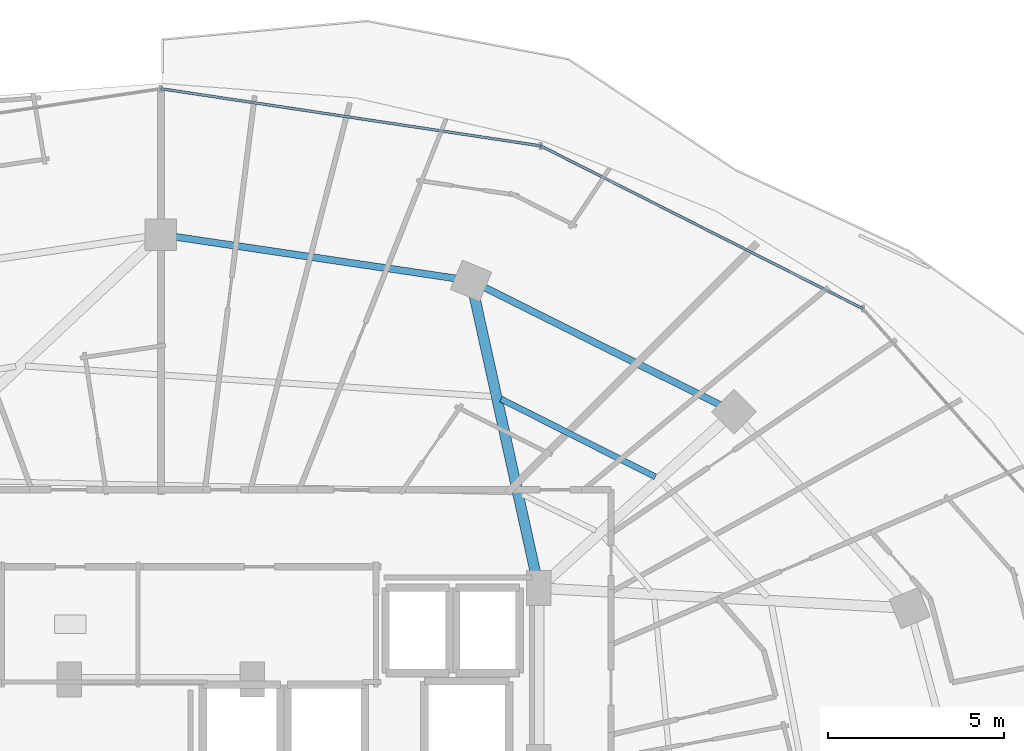
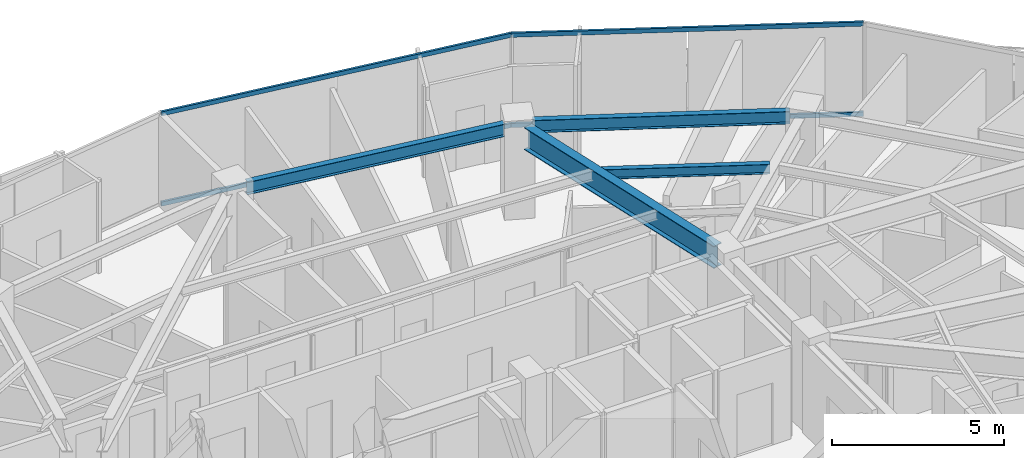
# One storey, part 19 of 33: 4 beams, 4 members, 1 element without a shape of its own.
"""IFC4 building model written with IfcOpenShell, lengths in metres."""

from ifc_helpers import new_model, si_unit, direction, frame, origin, origin_2d, place, context, subcontext, project, spatial, hollow_rectangle, i_section, extrude, material, material_profile, profile_set, type_object, element, aggregate, save


model = new_model("IFC4")

# Units and contexts
model_context = context("Model", 3, precision=1e-05, world=origin(), true_north=direction((0.0, 1.0)))
body_context = subcontext(model_context, "Body", "Model", "MODEL_VIEW")
ifc_project = project(units=[si_unit("LENGTHUNIT", "METRE"), si_unit("AREAUNIT", "SQUARE_METRE"), si_unit("VOLUMEUNIT", "CUBIC_METRE"), si_unit("PLANEANGLEUNIT", "RADIAN"), si_unit("MASSUNIT", "GRAM", prefix="KILO")], contexts=[model_context])

# Site, building, storey
site_placement = place(None, origin())
site = spatial("IfcSite", under=ifc_project, at=site_placement, CompositionType="ELEMENT")
building_placement = place(site_placement, origin())
building = spatial("IfcBuilding", under=site, at=building_placement, Name="Vorneva Point Tower", CompositionType="ELEMENT")
storey_placement = place(building_placement, frame((0.0, 0.0, 179.10009765625)))
storey = spatial("IfcBuildingStorey", under=building, at=storey_placement, Name="L48", CompositionType="ELEMENT", Elevation=179.10009765625)

# Beams
ifc_material_1 = material(Name="Steel S355", Category="steel")
ifc_material_profile_1 = material_profile(ifc_material_1, i_section(OverallWidth=0.300048828125, OverallDepth=0.7880859375, WebThickness=0.014404296875, FlangeThickness=0.02197265625, at=origin_2d()), Name="80Sh1")
ifc_profile_set_1 = profile_set([ifc_material_profile_1], Name="Steel S355")
beam_type_1 = type_object("IfcBeamType", Name="BM-GRD-80Sh1", PredefinedType="USERDEFINED", material=ifc_profile_set_1)
beam_1_placement = place(storey_placement, frame((46.915283203125, 41.462890625, 2.845947265625), z_axis=(0.215522758292, -0.976498817541, 0.0), x_axis=(0.976498817541, 0.215522758292, 0.0)))
element("IfcBeam", 1, at=beam_1_placement, inside=storey, type_object=beam_type_1, Name="L48 Radial Primary Girder 04", ObjectType="GIRDER", PredefinedType="USERDEFINED", context=body_context, shape_type="SweptSolid", body=[
    extrude(i_section(OverallWidth=0.300048828125, OverallDepth=0.7880859375, WebThickness=0.014404296875, FlangeThickness=0.02197265625, at=origin_2d()), origin(), (0.0, 0.0, 1.0), 8.173095703125),
])
ifc_material_profile_2 = material_profile(ifc_material_1, i_section(OverallWidth=0.174072265625, OverallDepth=0.345947265625, WebThickness=0.006103515625, FlangeThickness=0.009033203125, at=origin_2d()), Name="35B1")
ifc_profile_set_2 = profile_set([ifc_material_profile_2], Name="Steel S355")
beam_type_2 = type_object("IfcBeamType", Name="BM-SEC-35B1", PredefinedType="BEAM", material=ifc_profile_set_2)
beam_2_placement = place(storey_placement, frame((52.060791015625, 36.314208984375, 3.06689453125), z_axis=(-0.89285196268, 0.450350277827, 0.0), x_axis=(-0.450350277827, -0.89285196268, 0.0)))
element("IfcBeam", 2, at=beam_2_placement, inside=storey, type_object=beam_type_2, Name="L48 Secondary Floor Beam 1.03", PredefinedType="BEAM", context=body_context, shape_type="SweptSolid", body=[
    extrude(i_section(OverallWidth=0.174072265625, OverallDepth=0.345947265625, WebThickness=0.006103515625, FlangeThickness=0.009033203125, at=origin_2d()), origin(), (0.0, 0.0, 1.0), 4.914794921875),
])
ifc_material_profile_3 = material_profile(ifc_material_1, i_section(OverallWidth=0.198974609375, OverallDepth=0.446044921875, WebThickness=0.008056640625, FlangeThickness=0.011962890625, at=origin_2d()), Name="45B1")
ifc_profile_set_3 = profile_set([ifc_material_profile_3], Name="Steel S355")
beam_type_3 = type_object("IfcBeamType", Name="BM-SPN-45B1", PredefinedType="SPANDREL", material=ifc_profile_set_3)
beam_3_placement = place(storey_placement, frame((53.909423828125, 38.356201171875, 3.016845703125), z_axis=(-0.894922371084, 0.446221861559, 0.0), x_axis=(-0.446221861559, -0.894922371084, 0.0)))
element("IfcBeam", 3, at=beam_3_placement, inside=storey, type_object=beam_type_3, Name="L48 Perimeter Spandrel Ring Beam 03", PredefinedType="SPANDREL", context=body_context, shape_type="SweptSolid", body=[
    extrude(i_section(OverallWidth=0.198974609375, OverallDepth=0.446044921875, WebThickness=0.008056640625, FlangeThickness=0.011962890625, at=origin_2d()), origin(), (0.0, 0.0, 1.0), 7.48583984375),
])
beam_4_placement = place(storey_placement, frame((46.390625, 41.95458984375, 3.016845703125), z_axis=(-0.989165476332, 0.146804837907, 0.0), x_axis=(-0.146804837907, -0.989165476332, 0.0)))
element("IfcBeam", 4, at=beam_4_placement, inside=storey, type_object=beam_type_3, Name="L48 Perimeter Spandrel Ring Beam 04", PredefinedType="SPANDREL", context=body_context, shape_type="SweptSolid", body=[
    extrude(i_section(OverallWidth=0.198974609375, OverallDepth=0.446044921875, WebThickness=0.008056640625, FlangeThickness=0.011962890625, at=origin_2d()), origin(), (0.0, 0.0, 1.0), 8.04736328125),
])

# Curtain wall, members
ifc_material_2 = material(Name="Pale anodised aluminium", Category="aluminium")
curtain_wall_type = type_object("IfcCurtainWallType", Name="CW-RES-SYS", PredefinedType="NOTDEFINED", material=ifc_material_2)
curtain_wall_placement = place(storey_placement, origin())
curtain_wall = element("IfcCurtainWall", 5, at=curtain_wall_placement, inside=storey, type_object=curtain_wall_type, Name="L48 Unitised Curtain Wall CW-L48-R01", PredefinedType="NOTDEFINED")
ifc_material_profile_4 = material_profile(ifc_material_2, hollow_rectangle(XDim=0.074951171875, YDim=0.14990234375, WallThickness=0.00390625, at=origin_2d()), Name="AL-TRN 150x75x4")
ifc_profile_set_4 = profile_set([ifc_material_profile_4], Name="Pale anodised aluminium")
member_type = type_object("IfcMemberType", Name="CW-TRN-150", PredefinedType="USERDEFINED", material=ifc_profile_set_4)
member_1_placement = place(storey_placement, frame((57.961669921875, 41.0966796875, 0.02001953125), z_axis=(-0.892510927709, 0.451025768576, 0.0), x_axis=(-0.451025768576, -0.892510927709, 0.0)))
member_1 = element("IfcMember", 6, at=member_1_placement, type_object=member_type, Name="CW-L48-R01 Transom 02.1", ObjectType="TRANSOM", PredefinedType="USERDEFINED", context=body_context, shape_type="SweptSolid", body=[
    extrude(hollow_rectangle(XDim=0.074951171875, YDim=0.14990234375, WallThickness=0.00390625, at=origin_2d()), origin(), (0.0, 0.0, 1.0), 10.261474609375),
])
member_2_placement = place(storey_placement, frame((57.961669921875, 41.0966796875, 3.219970703125), z_axis=(-0.892510927709, 0.451025768576, 0.0), x_axis=(-0.451025768576, -0.892510927709, 0.0)))
member_2 = element("IfcMember", 7, at=member_2_placement, type_object=member_type, Name="CW-L48-R01 Transom 02.2", ObjectType="TRANSOM", PredefinedType="USERDEFINED", context=body_context, shape_type="SweptSolid", body=[
    extrude(hollow_rectangle(XDim=0.074951171875, YDim=0.14990234375, WallThickness=0.00390625, at=origin_2d()), origin(), (0.0, 0.0, 1.0), 10.261474609375),
])
member_3_placement = place(storey_placement, frame((48.80322265625, 45.724853515625, 0.02001953125), z_axis=(-0.988872333273, 0.148766624239, 0.0), x_axis=(-0.148766624239, -0.988872333273, 0.0)))
member_3 = element("IfcMember", 8, at=member_3_placement, type_object=member_type, Name="CW-L48-R01 Transom 03.1", ObjectType="TRANSOM", PredefinedType="USERDEFINED", context=body_context, shape_type="SweptSolid", body=[
    extrude(hollow_rectangle(XDim=0.074951171875, YDim=0.14990234375, WallThickness=0.00390625, at=origin_2d()), origin(), (0.0, 0.0, 1.0), 10.9248046875),
])
member_4_placement = place(storey_placement, frame((48.80322265625, 45.724853515625, 3.219970703125), z_axis=(-0.988872333273, 0.148766624239, 0.0), x_axis=(-0.148766624239, -0.988872333273, 0.0)))
member_4 = element("IfcMember", 9, at=member_4_placement, type_object=member_type, Name="CW-L48-R01 Transom 03.2", ObjectType="TRANSOM", PredefinedType="USERDEFINED", context=body_context, shape_type="SweptSolid", body=[
    extrude(hollow_rectangle(XDim=0.074951171875, YDim=0.14990234375, WallThickness=0.00390625, at=origin_2d()), origin(), (0.0, 0.0, 1.0), 10.9248046875),
])
aggregate(curtain_wall, [member_1, member_2, member_3, member_4])

save(model, "model.ifc")
